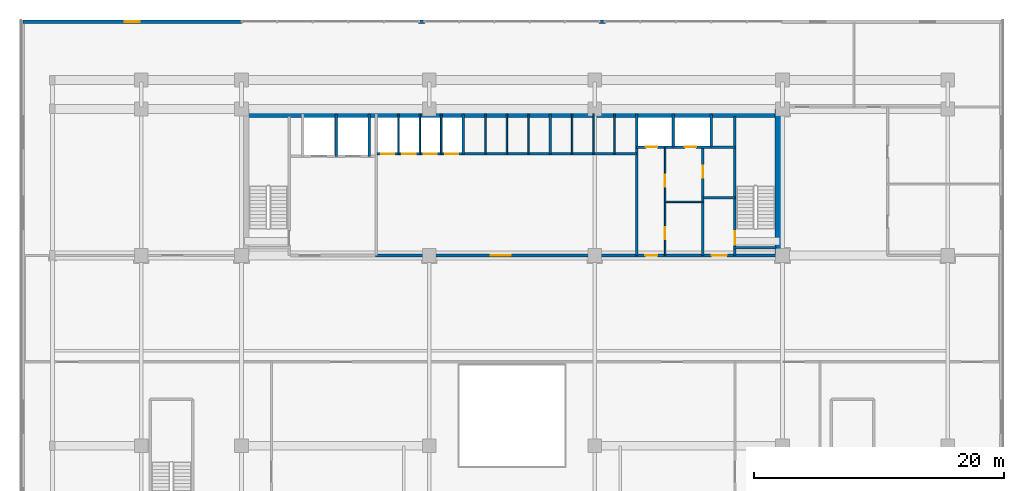
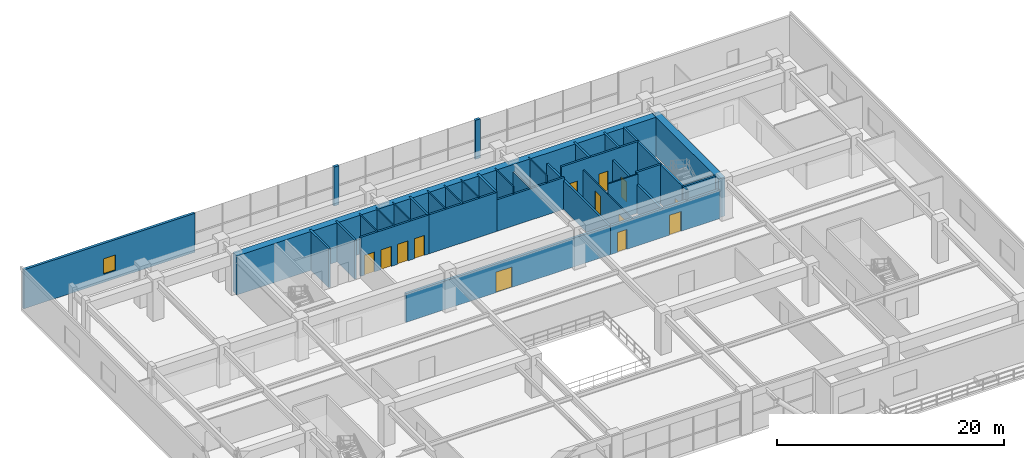
# One storey, part 16 of 24: 33 walls, 13 doors, 1 window, 14 openings.
"""IFC4 building model written with IfcOpenShell, lengths in metres."""

import ifcopenshell
import ifcopenshell.guid

model = None  # the IFC model being written
_history = None  # IfcOwnerHistory: only IFC2X3 demands one
_inside = {}  # id of a spatial element -> (the spatial element, [elements in it])
_under = {}  # id of a project, library or spatial element -> (it, [spatial elements below it])
_declared = {}  # id of a project -> (the project, [libraries it declares])
_typed = {}  # id of a type object -> (the type object, [elements of that type])
_made_of = {}  # id of a material, layer set ... -> (it, [elements and type objects made of it])


def new_model(schema):
    """Start an empty IFC model of exactly this schema.

    Asked for "IFC4X3", IfcOpenShell would pick the latest addendum, in which some entities
    have other attributes; the version numbers below select the first issue.
    IFC2X3 requires an IfcOwnerHistory on every rooted entity: one is made here for all.
    """
    global model, _history
    if schema == "IFC4X3":
        model = ifcopenshell.file(schema_version=(4, 3, 0, 0))
    else:
        model = ifcopenshell.file(schema=schema)
    _inside.clear()
    _under.clear()
    _declared.clear()
    _typed.clear()
    _made_of.clear()
    _history = None
    if model.schema == "IFC2X3":
        org = make("IfcOrganization", Name="unknown")
        user = make(
            "IfcPersonAndOrganization",
            ThePerson=make("IfcPerson", FamilyName="unknown"),
            TheOrganization=org,
        )
        app = make(
            "IfcApplication",
            ApplicationDeveloper=org,
            Version="unknown",
            ApplicationFullName="unknown",
            ApplicationIdentifier="unknown",
        )
        _history = make(
            "IfcOwnerHistory",
            OwningUser=user,
            OwningApplication=app,
            ChangeAction="ADDED",
            CreationDate=0,
        )
    return model


def make(cls, **values):
    """One entity of the class cls with the attributes given. An attribute that is None is left unset."""
    return model.create_entity(
        cls, **{name: value for name, value in values.items() if value is not None}
    )


def rooted(cls, **values):
    """An entity with a GlobalId (a new one), such as an element, a storey or a relation."""
    return make(cls, GlobalId=ifcopenshell.guid.new(), OwnerHistory=_history, **values)


def si_unit(unit_type, name, prefix=None):
    """IfcSIUnit, for example si_unit("LENGTHUNIT", "METRE", prefix="MILLI")."""
    return make("IfcSIUnit", UnitType=unit_type, Prefix=prefix, Name=name)


def assignment(units):
    """IfcUnitAssignment: the units of a project."""
    return None if units is None else make("IfcUnitAssignment", Units=units)


def point(xyz):
    """IfcCartesianPoint."""
    return None if xyz is None else make("IfcCartesianPoint", Coordinates=xyz)


def direction(xyz):
    """IfcDirection."""
    return None if xyz is None else make("IfcDirection", DirectionRatios=xyz)


def frame(location, z_axis=None, x_axis=None):
    """IfcAxis2Placement3D, a coordinate frame: its origin and axes. An axis left out is left unset."""
    return make(
        "IfcAxis2Placement3D",
        Location=point(location),
        Axis=direction(z_axis),
        RefDirection=direction(x_axis),
    )


def frame_2d(location, x_axis=None):
    """IfcAxis2Placement2D, a coordinate frame in the plane: its origin and x axis."""
    return make(
        "IfcAxis2Placement2D", Location=point(location), RefDirection=direction(x_axis)
    )


def origin():
    """The frame at (0, 0, 0) with its axes left unset."""
    return frame((0.0, 0.0, 0.0))


def place(relative_to, where):
    """IfcLocalPlacement: puts the frame where relative to a parent placement (None: the world)."""
    return make(
        "IfcLocalPlacement", PlacementRelTo=relative_to, RelativePlacement=where
    )


def context(
    kind, dimensions, precision=None, world=None, true_north=None, identifier=None
):
    """IfcGeometricRepresentationContext, for example the 3D "Model" context."""
    return make(
        "IfcGeometricRepresentationContext",
        ContextIdentifier=identifier,
        ContextType=kind,
        CoordinateSpaceDimension=dimensions,
        Precision=precision,
        WorldCoordinateSystem=world,
        TrueNorth=true_north,
    )


def subcontext(parent, identifier, kind, view, scale=None):
    """IfcGeometricRepresentationSubContext, for example "Body" below "Model"."""
    return make(
        "IfcGeometricRepresentationSubContext",
        ContextIdentifier=identifier,
        ContextType=kind,
        ParentContext=parent,
        TargetScale=scale,
        TargetView=view,
    )


def project(units=None, contexts=None):
    """IfcProject with its units and contexts."""
    return rooted(
        "IfcProject",
        Name="project",
        RepresentationContexts=contexts,
        UnitsInContext=assignment(units),
    )


def spatial(cls, under=None, at=None, **own):
    """A site, building, storey or space (cls), placed at a placement, below another one or the project."""
    s = rooted(cls, ObjectPlacement=at, **own)
    if under is not None:
        _under.setdefault(under.id(), (under, []))[1].append(s)
    return s


def profile(cls, at=None, kind="AREA", **sizes):
    """A parametric profile (cls). Its sizes go by their IFC names, for example OverallWidth=200.0."""
    return make(cls, ProfileType=kind, Position=at, **sizes)


def rectangle(**sizes):
    """IfcRectangleProfileDef."""
    return profile("IfcRectangleProfileDef", **sizes)


def extrude(swept, where, along, depth):
    """IfcExtrudedAreaSolid: the profile swept, set in the frame where, extruded along a direction by depth."""
    return make(
        "IfcExtrudedAreaSolid",
        SweptArea=swept,
        Position=where,
        ExtrudedDirection=direction(along),
        Depth=depth,
    )


def shape(context_of_items, identifier, shape_type, items):
    """IfcShapeRepresentation: the items that make up one representation, for example the "Body"."""
    return make(
        "IfcShapeRepresentation",
        ContextOfItems=context_of_items,
        RepresentationIdentifier=identifier,
        RepresentationType=shape_type,
        Items=items,
    )


def source(mapping_origin, context_of_items, identifier, shape_type, items):
    """IfcRepresentationMap: a shape defined once, which mapped items show again and again."""
    return make(
        "IfcRepresentationMap",
        MappingOrigin=mapping_origin,
        MappedRepresentation=shape(context_of_items, identifier, shape_type, items),
    )


def transform(
    local_origin,
    x_axis=None,
    y_axis=None,
    z_axis=None,
    scale=None,
    scale2=None,
    scale3=None,
    uniform=True,
):
    """IfcCartesianTransformationOperator3D, or its non-uniform kind. x_axis, y_axis, z_axis: its Axis1, 2, 3."""
    if uniform:
        return make(
            "IfcCartesianTransformationOperator3D",
            Axis1=direction(x_axis),
            Axis2=direction(y_axis),
            LocalOrigin=point(local_origin),
            Scale=scale,
            Axis3=direction(z_axis),
        )
    return make(
        "IfcCartesianTransformationOperator3DnonUniform",
        Axis1=direction(x_axis),
        Axis2=direction(y_axis),
        LocalOrigin=point(local_origin),
        Scale=scale,
        Axis3=direction(z_axis),
        Scale2=scale2,
        Scale3=scale3,
    )


def mapped(mapping_source, mapping_target):
    """IfcMappedItem: shows the shape of a source again, moved by a transform."""
    return make(
        "IfcMappedItem", MappingSource=mapping_source, MappingTarget=mapping_target
    )


def material(Name=None, Category=None):
    """IfcMaterial."""
    return make("IfcMaterial", Name=Name, Category=Category)


def layer(
    of_material, thickness, ventilated=None, Name=None, Category=None, Priority=None
):
    """IfcMaterialLayer: one layer of a wall or slab, of a material (None: an air gap)."""
    return make(
        "IfcMaterialLayer",
        Material=of_material,
        LayerThickness=thickness,
        IsVentilated=ventilated,
        Name=Name,
        Category=Category,
        Priority=Priority,
    )


def layer_set(layers, Name=None):
    """IfcMaterialLayerSet."""
    return make("IfcMaterialLayerSet", MaterialLayers=layers, LayerSetName=Name)


def made_of(thing, what):
    """Note that an element or type object is made of a material, layer set ...; save() writes the relation."""
    if what is not None:
        _made_of.setdefault(what.id(), (what, []))[1].append(thing)
    return thing


def type_object(cls, material=None, **own):
    """A type object (cls), such as IfcWallType, which elements share."""
    return made_of(rooted(cls, **own), material)


def element(
    cls,
    number,
    at=None,
    inside=None,
    cuts=None,
    type_object=None,
    material=None,
    context=None,
    identifier="Body",
    shape_type=None,
    held_by="IfcProductDefinitionShape",
    body=None,
    shapes=None,
    **own,
):
    """One element of the class cls, such as IfcWall. Its Tag is "e" and its number.

    at: its placement. inside: the storey or other place that contains it. cuts: it is an
    opening in that element (IfcRelVoidsElement). A single representation is given by context,
    identifier, shape_type and body (its items); several are given by shapes. held_by: the class
    of the entity that holds the representations. save() writes the other relations.
    """
    e = rooted(cls, Tag="e%d" % number, ObjectPlacement=at, **own)
    if body is not None:
        shapes = [shape(context, identifier, shape_type, body)]
    if shapes is not None:
        e.Representation = make(held_by, Representations=shapes)
    if inside is not None:
        _inside.setdefault(inside.id(), (inside, []))[1].append(e)
    if cuts is not None:
        rooted(
            "IfcRelVoidsElement", RelatingBuildingElement=cuts, RelatedOpeningElement=e
        )
    if type_object is not None:
        _typed.setdefault(type_object.id(), (type_object, []))[1].append(e)
    return made_of(e, material)


def fill(opening, filler):
    """IfcRelFillsElement: the door or window that sits in an opening."""
    return rooted(
        "IfcRelFillsElement",
        RelatingOpeningElement=opening,
        RelatedBuildingElement=filler,
    )


def aggregate(whole, parts):
    """IfcRelAggregates: a whole, such as a stair, and the parts it consists of."""
    return rooted("IfcRelAggregates", RelatingObject=whole, RelatedObjects=parts)


def save(model, path):
    """Write the relations noted so far, then the file.

    IfcRelAggregates (storeys below a building ...), IfcRelContainedInSpatialStructure (elements
    in a storey), IfcRelDefinesByType, IfcRelAssociatesMaterial and IfcRelDeclares: one each for
    every whole, place, type object, material and project.
    """
    for whole, parts in _under.values():
        aggregate(whole, parts)
    for where, things in _inside.values():
        rooted(
            "IfcRelContainedInSpatialStructure",
            RelatedElements=things,
            RelatingStructure=where,
        )
    for kind, things in _typed.values():
        rooted("IfcRelDefinesByType", RelatedObjects=things, RelatingType=kind)
    for what, things in _made_of.values():
        rooted("IfcRelAssociatesMaterial", RelatedObjects=things, RelatingMaterial=what)
    for by, libraries in _declared.values():
        rooted("IfcRelDeclares", RelatingContext=by, RelatedDefinitions=libraries)
    model.write(path)


model = new_model("IFC4")

# Units and contexts
model_context = context("Model", 3, precision=1e-05, world=origin(), true_north=direction((0.0, 1.0)))
body_context = subcontext(model_context, "Body", "Model", "MODEL_VIEW")
ifc_project = project(units=[si_unit("LENGTHUNIT", "METRE"), si_unit("AREAUNIT", "SQUARE_METRE"), si_unit("VOLUMEUNIT", "CUBIC_METRE"), si_unit("PLANEANGLEUNIT", "RADIAN"), si_unit("MASSUNIT", "GRAM", prefix="KILO")], contexts=[model_context])

# Site, building, storey
site_placement = place(None, origin())
site = spatial("IfcSite", under=ifc_project, at=site_placement, CompositionType="ELEMENT")
building_placement = place(site_placement, origin())
building = spatial("IfcBuilding", under=site, at=building_placement, Name="Trelvane Seafront Commons", CompositionType="ELEMENT")
storey_placement = place(building_placement, frame((0.0, 0.0, 9.699951171875)))
storey = spatial("IfcBuildingStorey", under=building, at=storey_placement, Name="L02", CompositionType="ELEMENT", Elevation=9.699951171875)

# Wall, opening, window
ifc_material_1 = material(Name="Precast concrete C40/50", Category="concrete")
ifc_layer_1 = layer(ifc_material_1, 0.260009765625, Name="ARCH-WALL-EXT260")
ifc_layer_set_1 = layer_set([ifc_layer_1], Name="Precast concrete C40/50")
wall_type_1 = type_object("IfcWallType", Name="ARCH-WALL-EXT260", PredefinedType="SOLIDWALL", material=ifc_layer_set_1)
wall_1_placement = place(storey_placement, frame((-1.85009765625, 52.070068359375, 0.0), z_axis=(0.0, 0.0, 1.0), x_axis=(1.0, 0.0, 0.0)))
wall_1 = element("IfcWall", 1, at=wall_1_placement, inside=storey, type_object=wall_type_1, Name="EW-L02-NW-0015", PredefinedType="SOLIDWALL", context=body_context, shape_type="SweptSolid", body=[
    extrude(rectangle(XDim=17.4501953125, YDim=0.260009765625, at=frame_2d((8.72509765625, 0.0))), origin(), (0.0, 0.0, 1.0), 4.199951171875),
])
opening_1_placement = place(wall_1_placement, frame((8.125, 0.0, 0.89990234375)))
opening_1 = element("IfcOpeningElement", 2, at=opening_1_placement, cuts=wall_1, Name="Opening W05", PredefinedType="OPENING", context=body_context, shape_type="SweptSolid", body=[
    extrude(rectangle(XDim=1.199951171875, YDim=1.64990234375, at=frame_2d((0.60009765625, 0.824951171875))), frame((0.0, 0.139892578125, 0.0), z_axis=(0.0, -1.0, 0.0), x_axis=(1.0, 0.0, 0.0)), (0.0, 0.0, 1.0), 0.280029296875),
])
ifc_material_2 = material(Name="Low-E coastal double glazing", Category="glass")
window_type = type_object("IfcWindowType", Name="ARCH-WIN-W05", PartitioningType="SINGLE_PANEL", PredefinedType="WINDOW", material=ifc_material_2)
shared_shape_1 = source(origin(), body_context, "Body", "SweptSolid", [
    extrude(rectangle(XDim=1.199951171875, YDim=1.64990234375, at=frame_2d((0.60009765625, 0.824951171875))), frame((0.0, 0.030029296875, 0.0), z_axis=(0.0, -1.0, 0.0), x_axis=(1.0, 0.0, 0.0)), (0.0, 0.0, 1.0), 0.06005859375),
])
window_placement = place(opening_1_placement, origin())
window = element("IfcWindow", 3, at=window_placement, inside=storey, type_object=window_type, Name="WIN-L02-00022", OverallHeight=1.64990234375, OverallWidth=1.199951171875, PartitioningType="SINGLE_PANEL", PredefinedType="WINDOW", context=body_context, shape_type="MappedRepresentation", body=[
    mapped(shared_shape_1, transform((0.0, 0.0, 0.0), x_axis=(1.0, 0.0, 0.0), y_axis=(0.0, 1.0, 0.0), z_axis=(0.0, 0.0, 1.0), scale=1.0)),
])
fill(opening_1, window)

# Walls
for number, where, z_axis, x_axis, name in (
    (4, (29.75, 52.070068359375, 0.0), (0.0, 0.0, 1.0), (1.0, 0.0, 0.0), "EW-L02-NP-00017"),
    (5, (44.14990234375, 52.070068359375, 0.0), (0.0, 0.0, 1.0), (1.0, 0.0, 0.0), "EW-L02-NP-00018"),
):
    element("IfcWall", number, at=place(storey_placement, frame(where, z_axis=z_axis, x_axis=x_axis)), inside=storey, type_object=wall_type_1, Name=name, PredefinedType="SOLIDWALL", context=body_context, shape_type="SweptSolid", body=[
        extrude(rectangle(XDim=0.5, YDim=0.260009765625, at=frame_2d((0.25, 0.0))), origin(), (0.0, 0.0, 1.0), 4.199951171875),
    ])

# Wall, opening, door
ifc_material_3 = material(Name="Concrete C40/50", Category="concrete")
ifc_layer_2 = layer(ifc_material_3, 0.199951171875, Name="ARCH-WALL-FIRE200")
ifc_layer_set_2 = layer_set([ifc_layer_2], Name="Concrete C40/50")
wall_type_2 = type_object("IfcWallType", Name="ARCH-WALL-FIRE200", PredefinedType="PARTITIONING", material=ifc_layer_set_2)
wall_2_placement = place(storey_placement, frame((52.449951171875, 33.39990234375, 0.0), z_axis=(0.0, 0.0, 1.0), x_axis=(0.0, 1.0, 0.0)))
wall_2 = element("IfcWall", 6, at=wall_2_placement, inside=storey, type_object=wall_type_2, Name="W-L02-ST2V-W-041", PredefinedType="PARTITIONING", context=body_context, shape_type="SweptSolid", body=[
    extrude(rectangle(XDim=8.650146484375, YDim=0.199951171875, at=frame_2d((4.3251953125, 0.0))), origin(), (0.0, 0.0, 1.0), 3.10009765625),
])
opening_2_placement = place(wall_2_placement, frame((6.199951171875, 0.0, 0.0)))
opening_2 = element("IfcOpeningElement", 7, at=opening_2_placement, cuts=wall_2, Name="Opening FD-L02-15", PredefinedType="OPENING", context=body_context, shape_type="SweptSolid", body=[
    extrude(rectangle(XDim=0.949951171875, YDim=2.14990234375, at=frame_2d((0.47509765625, 1.074951171875))), frame((0.0, 0.10986328125, 0.0), z_axis=(0.0, -1.0, 0.0), x_axis=(1.0, 0.0, 0.0)), (0.0, 0.0, 1.0), 0.219970703125),
])
ifc_material_4 = material(Name="Powder-coated aluminium frame", Category="aluminium")
door_type_1 = type_object("IfcDoorType", Name="ARCH-DR-FD60-950", OperationType="NOTDEFINED", PredefinedType="DOOR", material=ifc_material_4)
shared_shape_2 = source(origin(), body_context, "Body", "SweptSolid", [
    extrude(rectangle(XDim=0.949951171875, YDim=2.14990234375, at=frame_2d((0.47509765625, 1.074951171875))), frame((0.0, 0.02490234375, 0.0), z_axis=(0.0, -1.0, 0.0), x_axis=(1.0, 0.0, 0.0)), (0.0, 0.0, 1.0), 0.050048828125),
])
door_1_placement = place(opening_2_placement, origin())
door_1 = element("IfcDoor", 8, at=door_1_placement, inside=storey, type_object=door_type_1, Name="L02 Cleaner Store Door", OperationType="SINGLE_SWING_LEFT", OverallHeight=2.14990234375, OverallWidth=0.949951171875, PredefinedType="DOOR", context=body_context, shape_type="MappedRepresentation", body=[
    mapped(shared_shape_2, transform((0.0, 0.0, 0.0), x_axis=(1.0, 0.0, 0.0), y_axis=(0.0, 1.0, 0.0), z_axis=(0.0, 0.0, 1.0), scale=1.0)),
])
fill(opening_2, door_1)

# Wall
wall_3_placement = place(storey_placement, frame((52.449951171875, 38.0, 0.0), z_axis=(0.0, 0.0, 1.0), x_axis=(1.0, 0.0, 0.0)))
element("IfcWall", 9, at=wall_3_placement, inside=storey, type_object=wall_type_2, Name="W-L02-ST2V-N-042", PredefinedType="PARTITIONING", context=body_context, shape_type="SweptSolid", body=[
    extrude(rectangle(XDim=2.550048828125, YDim=0.199951171875, at=frame_2d((1.27490234375, 0.0))), origin(), (0.0, 0.0, 1.0), 4.199951171875),
])

# Wall, opening, door
ifc_layer_3 = layer(ifc_material_3, 0.25, Name="ARCH-WALL-FIRE250")
ifc_layer_set_3 = layer_set([ifc_layer_3], Name="Concrete C40/50")
wall_type_3 = type_object("IfcWallType", Name="ARCH-WALL-FIRE250", PredefinedType="PARTITIONING", material=ifc_layer_set_3)
wall_4_placement = place(storey_placement, frame((26.300048828125, 33.39990234375, 0.0), z_axis=(0.0, 0.0, 1.0), x_axis=(1.0, 0.0, 0.0)))
wall_4 = element("IfcWall", 10, at=wall_4_placement, inside=storey, type_object=wall_type_3, Name="W-L02-CS-PAX-037", PredefinedType="PARTITIONING", context=body_context, shape_type="SweptSolid", body=[
    extrude(rectangle(XDim=20.849853515625, YDim=0.25, at=frame_2d((10.4248046875, 0.0))), origin(), (0.0, 0.0, 1.0), 3.10009765625),
])
opening_3_placement = place(wall_4_placement, frame((9.199951171875, 0.0, 0.0)))
opening_3 = element("IfcOpeningElement", 11, at=opening_3_placement, cuts=wall_4, Name="Opening FD-L02-12", PredefinedType="OPENING", context=body_context, shape_type="SweptSolid", body=[
    extrude(rectangle(XDim=1.60009765625, YDim=2.199951171875, at=frame_2d((0.800048828125, 1.10009765625))), frame((0.0, 0.135009765625, 0.0), z_axis=(0.0, -1.0, 0.0), x_axis=(1.0, 0.0, 0.0)), (0.0, 0.0, 1.0), 0.27001953125),
])
door_type_2 = type_object("IfcDoorType", Name="ARCH-DR-FD60-1600", OperationType="DOUBLE_DOOR_SINGLE_SWING", PredefinedType="DOOR", material=ifc_material_4)
shared_shape_3 = source(origin(), body_context, "Body", "SweptSolid", [
    extrude(rectangle(XDim=1.60009765625, YDim=2.199951171875, at=frame_2d((0.800048828125, 1.10009765625))), frame((0.0, 0.02490234375, 0.0), z_axis=(0.0, -1.0, 0.0), x_axis=(1.0, 0.0, 0.0)), (0.0, 0.0, 1.0), 0.050048828125),
])
door_2_placement = place(opening_3_placement, origin())
door_2 = element("IfcDoor", 12, at=door_2_placement, inside=storey, type_object=door_type_2, Name="L02 Passenger Lift Lobby Double Door", OperationType="DOUBLE_DOOR_SINGLE_SWING", OverallHeight=2.199951171875, OverallWidth=1.60009765625, PredefinedType="DOOR", context=body_context, shape_type="MappedRepresentation", body=[
    mapped(shared_shape_3, transform((0.0, 0.0, 0.0), x_axis=(1.0, 0.0, 0.0), y_axis=(0.0, 1.0, 0.0), z_axis=(0.0, 0.0, 1.0), scale=1.0)),
])
fill(opening_3, door_2)

# Wall, openings, doors
wall_5_placement = place(storey_placement, frame((47.14990234375, 33.39990234375, 0.0), z_axis=(0.0, 0.0, 1.0), x_axis=(1.0, 0.0, 0.0)))
wall_5 = element("IfcWall", 13, at=wall_5_placement, inside=storey, type_object=wall_type_3, Name="W-L02-CS-EAST-045", PredefinedType="PARTITIONING", context=body_context, shape_type="SweptSolid", body=[
    extrude(rectangle(XDim=11.150146484375, YDim=0.25, at=frame_2d((5.5751953125, 0.0))), origin(), (0.0, 0.0, 1.0), 3.10009765625),
])
opening_4_placement = place(wall_5_placement, frame((0.699951171875, 0.0, 0.0)))
opening_4 = element("IfcOpeningElement", 14, at=opening_4_placement, cuts=wall_5, Name="Opening FD-L02-18", PredefinedType="OPENING", context=body_context, shape_type="SweptSolid", body=[
    extrude(rectangle(XDim=0.949951171875, YDim=2.14990234375, at=frame_2d((0.47509765625, 1.074951171875))), frame((0.0, 0.135009765625, 0.0), z_axis=(0.0, -1.0, 0.0), x_axis=(1.0, 0.0, 0.0)), (0.0, 0.0, 1.0), 0.27001953125),
])
opening_5_placement = place(wall_5_placement, frame((6.0, 0.0, 0.0)))
opening_5 = element("IfcOpeningElement", 15, at=opening_5_placement, cuts=wall_5, Name="Opening FD-L02-19", PredefinedType="OPENING", context=body_context, shape_type="SweptSolid", body=[
    extrude(rectangle(XDim=1.199951171875, YDim=2.14990234375, at=frame_2d((0.60009765625, 1.074951171875))), frame((0.0, 0.135009765625, 0.0), z_axis=(0.0, -1.0, 0.0), x_axis=(1.0, 0.0, 0.0)), (0.0, 0.0, 1.0), 0.27001953125),
])
door_3_placement = place(opening_4_placement, origin())
door_3 = element("IfcDoor", 16, at=door_3_placement, inside=storey, type_object=door_type_1, Name="L02 Core Service Lobby Door", OperationType="SINGLE_SWING_RIGHT", OverallHeight=2.14990234375, OverallWidth=0.949951171875, PredefinedType="DOOR", context=body_context, shape_type="MappedRepresentation", body=[
    mapped(shared_shape_2, transform((0.0, 0.0, 0.0), x_axis=(1.0, 0.0, 0.0), y_axis=(0.0, 1.0, 0.0), z_axis=(0.0, 0.0, 1.0), scale=1.0)),
])
fill(opening_4, door_3)
door_type_3 = type_object("IfcDoorType", Name="ARCH-DR-FD60-1200", OperationType="NOTDEFINED", PredefinedType="DOOR", material=ifc_material_4)
shared_shape_4 = source(origin(), body_context, "Body", "SweptSolid", [
    extrude(rectangle(XDim=1.199951171875, YDim=2.14990234375, at=frame_2d((0.60009765625, 1.074951171875))), frame((0.0, 0.02490234375, 0.0), z_axis=(0.0, -1.0, 0.0), x_axis=(1.0, 0.0, 0.0)), (0.0, 0.0, 1.0), 0.050048828125),
])
door_4_placement = place(opening_5_placement, origin())
door_4 = element("IfcDoor", 17, at=door_4_placement, inside=storey, type_object=door_type_3, Name="L02 East Stair Vestibule Fire Door", OperationType="SINGLE_SWING_LEFT", OverallHeight=2.14990234375, OverallWidth=1.199951171875, PredefinedType="DOOR", context=body_context, shape_type="MappedRepresentation", body=[
    mapped(shared_shape_4, transform((0.0, 0.0, 0.0), x_axis=(1.0, 0.0, 0.0), y_axis=(0.0, 1.0, 0.0), z_axis=(0.0, 0.0, 1.0), scale=1.0)),
])
fill(opening_5, door_4)

# Walls
ifc_material_5 = material(Name="Gypsum Drywall Acoustic Partition")
ifc_layer_4 = layer(ifc_material_5, 0.1201171875, Name="ARCH-WALL-PART120")
ifc_layer_set_4 = layer_set([ifc_layer_4], Name="Gypsum Drywall Acoustic Partition")
wall_type_4 = type_object("IfcWallType", Name="ARCH-WALL-PART120", PredefinedType="PARTITIONING", material=ifc_layer_set_4)
for number, where, z_axis, x_axis, name in (
    (18, (28.14990234375, 41.5, 0.0), (0.0, 0.0, 1.0), (0.0, 1.0, 0.0), "W-L02-PL-DIV1-024"),
    (19, (29.85009765625, 41.5, 0.0), (0.0, 0.0, 1.0), (0.0, 1.0, 0.0), "W-L02-PL-DIV2-025"),
    (20, (31.550048828125, 41.5, 0.0), (0.0, 0.0, 1.0), (0.0, 1.0, 0.0), "W-L02-PL-DIV3-026"),
    (21, (35.10009765625, 41.5, 0.0), (0.0, 0.0, 1.0), (0.0, 1.0, 0.0), "W-L02-PM-DIV1-028"),
    (22, (36.800048828125, 41.5, 0.0), (0.0, 0.0, 1.0), (0.0, 1.0, 0.0), "W-L02-PM-DIV2-029"),
    (23, (38.5, 41.5, 0.0), (0.0, 0.0, 1.0), (0.0, 1.0, 0.0), "W-L02-PM-DIV3-030"),
    (24, (42.0, 41.5, 0.0), (0.0, 0.0, 1.0), (0.0, 1.0, 0.0), "W-L02-PH-DIV1-033"),
):
    element("IfcWall", number, at=place(storey_placement, frame(where, z_axis=z_axis, x_axis=x_axis)), inside=storey, type_object=wall_type_4, Name=name, PredefinedType="PARTITIONING", context=body_context, shape_type="SweptSolid", body=[
        extrude(rectangle(XDim=3.199951171875, YDim=0.1201171875, at=frame_2d((1.60009765625, 0.0))), origin(), (0.0, 0.0, 1.0), 4.199951171875),
    ])
wall_6_placement = place(storey_placement, frame((43.699951171875, 41.5, 0.0), z_axis=(0.0, 0.0, 1.0), x_axis=(0.0, 1.0, 0.0)))
element("IfcWall", 25, at=wall_6_placement, inside=storey, type_object=wall_type_4, Name="W-L02-PH-DIV2-034", PredefinedType="PARTITIONING", context=body_context, shape_type="SweptSolid", body=[
    extrude(rectangle(XDim=3.199951171875, YDim=0.1201171875, at=frame_2d((1.60009765625, 0.0))), origin(), (0.0, 0.0, 1.0), 3.400146484375),
])
wall_7_placement = place(storey_placement, frame((45.39990234375, 41.5, 0.0), z_axis=(0.0, 0.0, 1.0), x_axis=(0.0, 1.0, 0.0)))
element("IfcWall", 26, at=wall_7_placement, inside=storey, type_object=wall_type_4, Name="W-L02-PH-DIV3-035", PredefinedType="PARTITIONING", context=body_context, shape_type="SweptSolid", body=[
    extrude(rectangle(XDim=3.199951171875, YDim=0.1201171875, at=frame_2d((1.60009765625, 0.0))), origin(), (0.0, 0.0, 1.0), 4.199951171875),
])

# Wall, openings, doors
wall_8_placement = place(storey_placement, frame((49.419921875, 33.39990234375, 0.0), z_axis=(0.0, 0.0, 1.0), x_axis=(0.0, 1.0, 0.0)))
wall_8 = element("IfcWall", 27, at=wall_8_placement, inside=storey, type_object=wall_type_4, Name="W-L02-CYC0-V-043", PredefinedType="PARTITIONING", context=body_context, shape_type="SweptSolid", body=[
    extrude(rectangle(XDim=8.60009765625, YDim=0.1201171875, at=frame_2d((4.300048828125, 0.0))), origin(), (0.0, 0.0, 1.0), 3.10009765625),
])
opening_6_placement = place(wall_8_placement, frame((1.300048828125, 0.0, 0.0)))
opening_6 = element("IfcOpeningElement", 28, at=opening_6_placement, cuts=wall_8, Name="Opening D-L02-16", PredefinedType="OPENING", context=body_context, shape_type="SweptSolid", body=[
    extrude(rectangle(XDim=0.949951171875, YDim=2.14990234375, at=frame_2d((0.47509765625, 1.074951171875))), frame((0.0, 0.070068359375, 0.0), z_axis=(0.0, -1.0, 0.0), x_axis=(1.0, 0.0, 0.0)), (0.0, 0.0, 1.0), 0.14013671875),
])
opening_7_placement = place(wall_8_placement, frame((5.5, 0.0, 0.0)))
opening_7 = element("IfcOpeningElement", 29, at=opening_7_placement, cuts=wall_8, Name="Opening D-L02-17", PredefinedType="OPENING", context=body_context, shape_type="SweptSolid", body=[
    extrude(rectangle(XDim=0.949951171875, YDim=2.14990234375, at=frame_2d((0.47509765625, 1.074951171875))), frame((0.0, 0.070068359375, 0.0), z_axis=(0.0, -1.0, 0.0), x_axis=(1.0, 0.0, 0.0)), (0.0, 0.0, 1.0), 0.14013671875),
])
ifc_material_6 = material(Name="Acoustic timber door leaf", Category="wood")
door_type_4 = type_object("IfcDoorType", Name="ARCH-DR-INT950", OperationType="NOTDEFINED", PredefinedType="DOOR", material=ifc_material_6)
door_5_placement = place(opening_6_placement, origin())
door_5 = element("IfcDoor", 30, at=door_5_placement, inside=storey, type_object=door_type_4, Name="L02 Accessible WC Door", OperationType="SINGLE_SWING_RIGHT", OverallHeight=2.14990234375, OverallWidth=0.949951171875, PredefinedType="DOOR", context=body_context, shape_type="MappedRepresentation", body=[
    mapped(shared_shape_2, transform((0.0, 0.0, 0.0), x_axis=(1.0, 0.0, 0.0), y_axis=(0.0, 1.0, 0.0), z_axis=(0.0, 0.0, 1.0), scale=1.0)),
])
fill(opening_6, door_5)
door_6_placement = place(opening_7_placement, origin())
door_6 = element("IfcDoor", 31, at=door_6_placement, inside=storey, type_object=door_type_4, Name="L02 Common WC Door", OperationType="SINGLE_SWING_LEFT", OverallHeight=2.14990234375, OverallWidth=0.949951171875, PredefinedType="DOOR", context=body_context, shape_type="MappedRepresentation", body=[
    mapped(shared_shape_2, transform((0.0, 0.0, 0.0), x_axis=(1.0, 0.0, 0.0), y_axis=(0.0, 1.0, 0.0), z_axis=(0.0, 0.0, 1.0), scale=1.0)),
])
fill(opening_7, door_6)

# Walls
wall_9_placement = place(storey_placement, frame((49.419921875, 37.679931640625, 0.0), z_axis=(0.0, 0.0, 1.0), x_axis=(1.0, 0.0, 0.0)))
element("IfcWall", 32, at=wall_9_placement, inside=storey, type_object=wall_type_4, Name="W-L02-CYC0-H-044", PredefinedType="PARTITIONING", context=body_context, shape_type="SweptSolid", body=[
    extrude(rectangle(XDim=3.030029296875, YDim=0.1201171875, at=frame_2d((1.51513671875, 0.0))), origin(), (0.0, 0.0, 1.0), 4.199951171875),
])
ifc_layer_5 = layer(ifc_material_3, 0.199951171875, Name="ARCH-WALL-SHAFT200")
ifc_layer_set_5 = layer_set([ifc_layer_5], Name="Concrete C40/50")
wall_type_5 = type_object("IfcWallType", Name="ARCH-WALL-SHAFT200", PredefinedType="SOLIDWALL", material=ifc_layer_set_5)
for number, where, z_axis, x_axis, name in (
    (33, (23.14990234375, 41.300048828125, 0.0), (0.0, 0.0, 1.0), (0.0, 1.0, 0.0), "W-L02-FFL-DIV-018"),
    (34, (25.800048828125, 41.300048828125, 0.0), (0.0, 0.0, 1.0), (0.0, 1.0, 0.0), "W-L02-FFL-SH-E-019"),
):
    element("IfcWall", number, at=place(storey_placement, frame(where, z_axis=z_axis, x_axis=x_axis)), inside=storey, type_object=wall_type_5, Name=name, PredefinedType="SOLIDWALL", context=body_context, shape_type="SweptSolid", body=[
        extrude(rectangle(XDim=3.39990234375, YDim=0.199951171875, at=frame_2d((1.699951171875, 0.0))), origin(), (0.0, 0.0, 1.0), 4.199951171875),
    ])

# Wall, openings, doors
wall_10_placement = place(storey_placement, frame((26.39990234375, 41.5, 0.0), z_axis=(0.0, 0.0, 1.0), x_axis=(1.0, 0.0, 0.0)))
wall_10 = element("IfcWall", 35, at=wall_10_placement, inside=storey, type_object=wall_type_5, Name="W-L02-PL-FRONT-022", PredefinedType="SOLIDWALL", context=body_context, shape_type="SweptSolid", body=[
    extrude(rectangle(XDim=6.9501953125, YDim=0.199951171875, at=frame_2d((3.47509765625, 0.0))), origin(), (0.0, 0.0, 1.0), 4.199951171875),
])
opening_8_placement = place(wall_10_placement, frame((0.35009765625, 0.0, 0.0)))
opening_8 = element("IfcOpeningElement", 36, at=opening_8_placement, cuts=wall_10, Name="Opening LD-PL1-L02", PredefinedType="OPENING", context=body_context, shape_type="SweptSolid", body=[
    extrude(rectangle(XDim=1.050048828125, YDim=2.14990234375, at=frame_2d((0.52490234375, 1.074951171875))), frame((0.0, 0.10986328125, 0.0), z_axis=(0.0, -1.0, 0.0), x_axis=(1.0, 0.0, 0.0)), (0.0, 0.0, 1.0), 0.219970703125),
])
opening_9_placement = place(wall_10_placement, frame((2.050048828125, 0.0, 0.0)))
opening_9 = element("IfcOpeningElement", 37, at=opening_9_placement, cuts=wall_10, Name="Opening LD-PL2-L02", PredefinedType="OPENING", context=body_context, shape_type="SweptSolid", body=[
    extrude(rectangle(XDim=1.050048828125, YDim=2.14990234375, at=frame_2d((0.52490234375, 1.074951171875))), frame((0.0, 0.10986328125, 0.0), z_axis=(0.0, -1.0, 0.0), x_axis=(1.0, 0.0, 0.0)), (0.0, 0.0, 1.0), 0.219970703125),
])
opening_10_placement = place(wall_10_placement, frame((3.75, 0.0, 0.0)))
opening_10 = element("IfcOpeningElement", 38, at=opening_10_placement, cuts=wall_10, Name="Opening LD-PL3-L02", PredefinedType="OPENING", context=body_context, shape_type="SweptSolid", body=[
    extrude(rectangle(XDim=1.050048828125, YDim=2.14990234375, at=frame_2d((0.52490234375, 1.074951171875))), frame((0.0, 0.10986328125, 0.0), z_axis=(0.0, -1.0, 0.0), x_axis=(1.0, 0.0, 0.0)), (0.0, 0.0, 1.0), 0.219970703125),
])
opening_11_placement = place(wall_10_placement, frame((5.449951171875, 0.0, 0.0)))
opening_11 = element("IfcOpeningElement", 39, at=opening_11_placement, cuts=wall_10, Name="Opening LD-PL4-L02", PredefinedType="OPENING", context=body_context, shape_type="SweptSolid", body=[
    extrude(rectangle(XDim=1.050048828125, YDim=2.14990234375, at=frame_2d((0.52490234375, 1.074951171875))), frame((0.0, 0.10986328125, 0.0), z_axis=(0.0, -1.0, 0.0), x_axis=(1.0, 0.0, 0.0)), (0.0, 0.0, 1.0), 0.219970703125),
])
ifc_material_7 = material(Name="Stainless steel balustrade", Category="steel")
door_type_5 = type_object("IfcDoorType", Name="ARCH-DR-LD1050", OperationType="DOUBLE_DOOR_SLIDING", PredefinedType="DOOR", material=ifc_material_7)
shared_shape_5 = source(origin(), body_context, "Body", "SweptSolid", [
    extrude(rectangle(XDim=1.050048828125, YDim=2.14990234375, at=frame_2d((0.52490234375, 1.074951171875))), frame((0.0, 0.02490234375, 0.0), z_axis=(0.0, -1.0, 0.0), x_axis=(1.0, 0.0, 0.0)), (0.0, 0.0, 1.0), 0.050048828125),
])
door_7_placement = place(opening_8_placement, origin())
door_7 = element("IfcDoor", 40, at=door_7_placement, inside=storey, type_object=door_type_5, Name="L02 Passenger Lift PL-1 Landing Door", OperationType="DOUBLE_DOOR_SLIDING", OverallHeight=2.14990234375, OverallWidth=1.050048828125, PredefinedType="DOOR", context=body_context, shape_type="MappedRepresentation", body=[
    mapped(shared_shape_5, transform((0.0, 0.0, 0.0), x_axis=(1.0, 0.0, 0.0), y_axis=(0.0, 1.0, 0.0), z_axis=(0.0, 0.0, 1.0), scale=1.0)),
])
fill(opening_8, door_7)
door_8_placement = place(opening_9_placement, origin())
door_8 = element("IfcDoor", 41, at=door_8_placement, inside=storey, type_object=door_type_5, Name="L02 Passenger Lift PL-2 Landing Door", OperationType="DOUBLE_DOOR_SLIDING", OverallHeight=2.14990234375, OverallWidth=1.050048828125, PredefinedType="DOOR", context=body_context, shape_type="MappedRepresentation", body=[
    mapped(shared_shape_5, transform((0.0, 0.0, 0.0), x_axis=(1.0, 0.0, 0.0), y_axis=(0.0, 1.0, 0.0), z_axis=(0.0, 0.0, 1.0), scale=1.0)),
])
fill(opening_9, door_8)
door_9_placement = place(opening_10_placement, origin())
door_9 = element("IfcDoor", 42, at=door_9_placement, inside=storey, type_object=door_type_5, Name="L02 Passenger Lift PL-3 Landing Door", OperationType="DOUBLE_DOOR_SLIDING", OverallHeight=2.14990234375, OverallWidth=1.050048828125, PredefinedType="DOOR", context=body_context, shape_type="MappedRepresentation", body=[
    mapped(shared_shape_5, transform((0.0, 0.0, 0.0), x_axis=(1.0, 0.0, 0.0), y_axis=(0.0, 1.0, 0.0), z_axis=(0.0, 0.0, 1.0), scale=1.0)),
])
fill(opening_10, door_9)
door_10_placement = place(opening_11_placement, origin())
door_10 = element("IfcDoor", 43, at=door_10_placement, inside=storey, type_object=door_type_5, Name="L02 Passenger Lift PL-4 Landing Door", OperationType="DOUBLE_DOOR_SLIDING", OverallHeight=2.14990234375, OverallWidth=1.050048828125, PredefinedType="DOOR", context=body_context, shape_type="MappedRepresentation", body=[
    mapped(shared_shape_5, transform((0.0, 0.0, 0.0), x_axis=(1.0, 0.0, 0.0), y_axis=(0.0, 1.0, 0.0), z_axis=(0.0, 0.0, 1.0), scale=1.0)),
])
fill(opening_11, door_10)

# Walls
wall_11_placement = place(storey_placement, frame((33.300048828125, 41.5, 0.0), z_axis=(0.0, 0.0, 1.0), x_axis=(0.0, 1.0, 0.0)))
element("IfcWall", 44, at=wall_11_placement, inside=storey, type_object=wall_type_5, Name="W-L02-PL-EAST-SH-023", PredefinedType="SOLIDWALL", context=body_context, shape_type="SweptSolid", body=[
    extrude(rectangle(XDim=3.199951171875, YDim=0.199951171875, at=frame_2d((1.60009765625, 0.0))), origin(), (0.0, 0.0, 1.0), 4.199951171875),
])
wall_12_placement = place(storey_placement, frame((33.35009765625, 41.5, 0.0), z_axis=(0.0, 0.0, 1.0), x_axis=(1.0, 0.0, 0.0)))
element("IfcWall", 45, at=wall_12_placement, inside=storey, type_object=wall_type_5, Name="W-L02-PM-FRONT-027", PredefinedType="SOLIDWALL", context=body_context, shape_type="SweptSolid", body=[
    extrude(rectangle(XDim=6.89990234375, YDim=0.199951171875, at=frame_2d((3.449951171875, 0.0))), origin(), (0.0, 0.0, 1.0), 4.199951171875),
])
wall_13_placement = place(storey_placement, frame((40.25, 41.5, 0.0), z_axis=(0.0, 0.0, 1.0), x_axis=(1.0, 0.0, 0.0)))
element("IfcWall", 46, at=wall_13_placement, inside=storey, type_object=wall_type_5, Name="W-L02-PH-FRONT-031", PredefinedType="SOLIDWALL", context=body_context, shape_type="SweptSolid", body=[
    extrude(rectangle(XDim=6.89990234375, YDim=0.199951171875, at=frame_2d((3.449951171875, 0.0))), origin(), (0.0, 0.0, 1.0), 3.400146484375),
])
wall_14_placement = place(storey_placement, frame((40.25, 41.5, 0.0), z_axis=(0.0, 0.0, 1.0), x_axis=(0.0, 1.0, 0.0)))
element("IfcWall", 47, at=wall_14_placement, inside=storey, type_object=wall_type_5, Name="W-L02-PH-WEST-SH-032", PredefinedType="SOLIDWALL", context=body_context, shape_type="SweptSolid", body=[
    extrude(rectangle(XDim=3.199951171875, YDim=0.199951171875, at=frame_2d((1.60009765625, 0.0))), origin(), (0.0, 0.0, 1.0), 4.199951171875),
])
wall_15_placement = place(storey_placement, frame((47.14990234375, 33.39990234375, 0.0), z_axis=(0.0, 0.0, 1.0), x_axis=(0.0, 1.0, 0.0)))
element("IfcWall", 48, at=wall_15_placement, inside=storey, type_object=wall_type_5, Name="W-L02-PH-EAST-036", PredefinedType="SOLIDWALL", context=body_context, shape_type="SweptSolid", body=[
    extrude(rectangle(XDim=11.300048828125, YDim=0.199951171875, at=frame_2d((5.64990234375, 0.0))), origin(), (0.0, 0.0, 1.0), 3.10009765625),
])

# Wall, openings, doors
wall_16_placement = place(storey_placement, frame((47.14990234375, 42.050048828125, 0.0), z_axis=(0.0, 0.0, 1.0), x_axis=(1.0, 0.0, 0.0)))
wall_16 = element("IfcWall", 49, at=wall_16_placement, inside=storey, type_object=wall_type_5, Name="W-L02-RSR-S-038", PredefinedType="SOLIDWALL", context=body_context, shape_type="SweptSolid", body=[
    extrude(rectangle(XDim=7.85009765625, YDim=0.199951171875, at=frame_2d((3.925048828125, 0.0))), origin(), (0.0, 0.0, 1.0), 4.199951171875),
])
opening_12_placement = place(wall_16_placement, frame((0.75, 0.0, 0.0)))
opening_12 = element("IfcOpeningElement", 50, at=opening_12_placement, cuts=wall_16, Name="Opening FD-L02-13", PredefinedType="OPENING", context=body_context, shape_type="SweptSolid", body=[
    extrude(rectangle(XDim=0.89990234375, YDim=2.10009765625, at=frame_2d((0.449951171875, 1.050048828125))), frame((0.0, 0.10986328125, 0.0), z_axis=(0.0, -1.0, 0.0), x_axis=(1.0, 0.0, 0.0)), (0.0, 0.0, 1.0), 0.219970703125),
])
opening_13_placement = place(wall_16_placement, frame((3.85009765625, 0.0, 0.0)))
opening_13 = element("IfcOpeningElement", 51, at=opening_13_placement, cuts=wall_16, Name="Opening FD-L02-14", PredefinedType="OPENING", context=body_context, shape_type="SweptSolid", body=[
    extrude(rectangle(XDim=0.89990234375, YDim=2.10009765625, at=frame_2d((0.449951171875, 1.050048828125))), frame((0.0, 0.10986328125, 0.0), z_axis=(0.0, -1.0, 0.0), x_axis=(1.0, 0.0, 0.0)), (0.0, 0.0, 1.0), 0.219970703125),
])
door_type_6 = type_object("IfcDoorType", Name="ARCH-DR-FD60-900", OperationType="NOTDEFINED", PredefinedType="DOOR", material=ifc_material_4)
shared_shape_6 = source(origin(), body_context, "Body", "SweptSolid", [
    extrude(rectangle(XDim=0.89990234375, YDim=2.10009765625, at=frame_2d((0.449951171875, 1.050048828125))), frame((0.0, 0.02490234375, 0.0), z_axis=(0.0, -1.0, 0.0), x_axis=(1.0, 0.0, 0.0)), (0.0, 0.0, 1.0), 0.050048828125),
])
door_11_placement = place(opening_12_placement, origin())
door_11 = element("IfcDoor", 52, at=door_11_placement, inside=storey, type_object=door_type_6, Name="L02 Electrical Riser Access Door", OperationType="SINGLE_SWING_LEFT", OverallHeight=2.10009765625, OverallWidth=0.89990234375, PredefinedType="DOOR", context=body_context, shape_type="MappedRepresentation", body=[
    mapped(shared_shape_6, transform((0.0, 0.0, 0.0), x_axis=(1.0, 0.0, 0.0), y_axis=(0.0, 1.0, 0.0), z_axis=(0.0, 0.0, 1.0), scale=1.0)),
])
fill(opening_12, door_11)
door_12_placement = place(opening_13_placement, origin())
door_12 = element("IfcDoor", 53, at=door_12_placement, inside=storey, type_object=door_type_6, Name="L02 Mechanical Riser Access Door", OperationType="SINGLE_SWING_RIGHT", OverallHeight=2.10009765625, OverallWidth=0.89990234375, PredefinedType="DOOR", context=body_context, shape_type="MappedRepresentation", body=[
    mapped(shared_shape_6, transform((0.0, 0.0, 0.0), x_axis=(1.0, 0.0, 0.0), y_axis=(0.0, 1.0, 0.0), z_axis=(0.0, 0.0, 1.0), scale=1.0)),
])
fill(opening_13, door_12)

# Walls
for number, where, z_axis, x_axis, name in (
    (54, (50.080078125, 42.050048828125, 0.0), (0.0, 0.0, 1.0), (0.0, 1.0, 0.0), "W-L02-RSR-DIV-039"),
    (55, (53.10009765625, 42.050048828125, 0.0), (0.0, 0.0, 1.0), (0.0, 1.0, 0.0), "W-L02-RSR-E-040"),
):
    element("IfcWall", number, at=place(storey_placement, frame(where, z_axis=z_axis, x_axis=x_axis)), inside=storey, type_object=wall_type_5, Name=name, PredefinedType="SOLIDWALL", context=body_context, shape_type="SweptSolid", body=[
        extrude(rectangle(XDim=2.64990234375, YDim=0.199951171875, at=frame_2d((1.324951171875, 0.0))), origin(), (0.0, 0.0, 1.0), 4.199951171875),
    ])
ifc_material_8 = material(Name="Concrete C60/75", Category="concrete")
ifc_layer_6 = layer(ifc_material_8, 0.699951171875, Name="STR-WALL-CORE700")
ifc_layer_set_6 = layer_set([ifc_layer_6], Name="Concrete C60/75")
wall_type_6 = type_object("IfcWallType", Name="STR-WALL-CORE700", PredefinedType="SHEAR", material=ifc_layer_set_6)
wall_17_placement = place(storey_placement, frame((15.5, 44.75, 0.0), z_axis=(0.0, 0.0, 1.0), x_axis=(1.0, 0.0, 0.0)))
element("IfcWall", 56, at=wall_17_placement, inside=storey, type_object=wall_type_6, Name="W-L02-CN-ALL-001", PredefinedType="SHEAR", context=body_context, shape_type="SweptSolid", body=[
    extrude(rectangle(XDim=43.39990234375, YDim=0.699951171875, at=frame_2d((21.699951171875, 0.0))), origin(), (0.0, 0.0, 1.0), 4.199951171875),
])
wall_18_placement = place(storey_placement, frame((58.550048828125, 33.39990234375, 0.0), z_axis=(0.0, 0.0, 1.0), x_axis=(0.0, 1.0, 0.0)))
element("IfcWall", 57, at=wall_18_placement, inside=storey, type_object=wall_type_6, Name="W-L02-CE-END-003", PredefinedType="SHEAR", context=body_context, shape_type="SweptSolid", body=[
    extrude(rectangle(XDim=11.7001953125, YDim=0.699951171875, at=frame_2d((5.85009765625, 0.0))), origin(), (0.0, 0.0, 1.0), 4.199951171875),
])
ifc_material_9 = material(Name="Concrete C50/60", Category="concrete")
ifc_layer_7 = layer(ifc_material_9, 0.199951171875, Name="STR-WALL-STAIR200")
ifc_layer_set_7 = layer_set([ifc_layer_7], Name="Concrete C50/60")
wall_type_7 = type_object("IfcWallType", Name="STR-WALL-STAIR200", PredefinedType="SHEAR", material=ifc_layer_set_7)
wall_19_placement = place(storey_placement, frame((54.89990234375, 34.0, 0.0), z_axis=(0.0, 0.0, 1.0), x_axis=(1.0, 0.0, 0.0)))
element("IfcWall", 58, at=wall_19_placement, inside=storey, type_object=wall_type_7, Name="W-L02-ST2-S-006", PredefinedType="SHEAR", context=body_context, shape_type="SweptSolid", body=[
    extrude(rectangle(XDim=3.400146484375, YDim=0.199951171875, at=frame_2d((1.7001953125, 0.0))), origin(), (0.0, 0.0, 1.0), 4.199951171875),
])

# Wall, opening, door
wall_20_placement = place(storey_placement, frame((55.0, 33.39990234375, 0.0), z_axis=(0.0, 0.0, 1.0), x_axis=(0.0, 1.0, 0.0)))
wall_20 = element("IfcWall", 59, at=wall_20_placement, inside=storey, type_object=wall_type_7, Name="W-L02-ST2-W-007", PredefinedType="SHEAR", context=body_context, shape_type="SweptSolid", body=[
    extrude(rectangle(XDim=11.10009765625, YDim=0.199951171875, at=frame_2d((5.550048828125, 0.0))), origin(), (0.0, 0.0, 1.0), 4.199951171875),
])
opening_14_placement = place(wall_20_placement, frame((0.85009765625, 0.0, 0.0)))
opening_14 = element("IfcOpeningElement", 60, at=opening_14_placement, cuts=wall_20, Name="Opening ST-D2-L02", PredefinedType="OPENING", context=body_context, shape_type="SweptSolid", body=[
    extrude(rectangle(XDim=1.10009765625, YDim=2.14990234375, at=frame_2d((0.550048828125, 1.074951171875))), frame((0.0, 0.10986328125, 0.0), z_axis=(0.0, -1.0, 0.0), x_axis=(1.0, 0.0, 0.0)), (0.0, 0.0, 1.0), 0.219970703125),
])
door_type_7 = type_object("IfcDoorType", Name="ARCH-DR-FD90-1100", OperationType="NOTDEFINED", PredefinedType="DOOR", material=ifc_material_4)
shared_shape_7 = source(origin(), body_context, "Body", "SweptSolid", [
    extrude(rectangle(XDim=1.10009765625, YDim=2.14990234375, at=frame_2d((0.550048828125, 1.074951171875))), frame((0.0, 0.02490234375, 0.0), z_axis=(0.0, -1.0, 0.0), x_axis=(1.0, 0.0, 0.0)), (0.0, 0.0, 1.0), 0.050048828125),
])
door_13_placement = place(opening_14_placement, origin())
door_13 = element("IfcDoor", 61, at=door_13_placement, inside=storey, type_object=door_type_7, Name="L02 Stair ST-2 Vestibule Fire Door", OperationType="SINGLE_SWING_RIGHT", OverallHeight=2.14990234375, OverallWidth=1.10009765625, PredefinedType="DOOR", context=body_context, shape_type="MappedRepresentation", body=[
    mapped(shared_shape_7, transform((0.0, 0.0, 0.0), x_axis=(1.0, 0.0, 0.0), y_axis=(0.0, 1.0, 0.0), z_axis=(0.0, 0.0, 1.0), scale=1.0)),
])
fill(opening_14, door_13)

save(model, "model.ifc")
